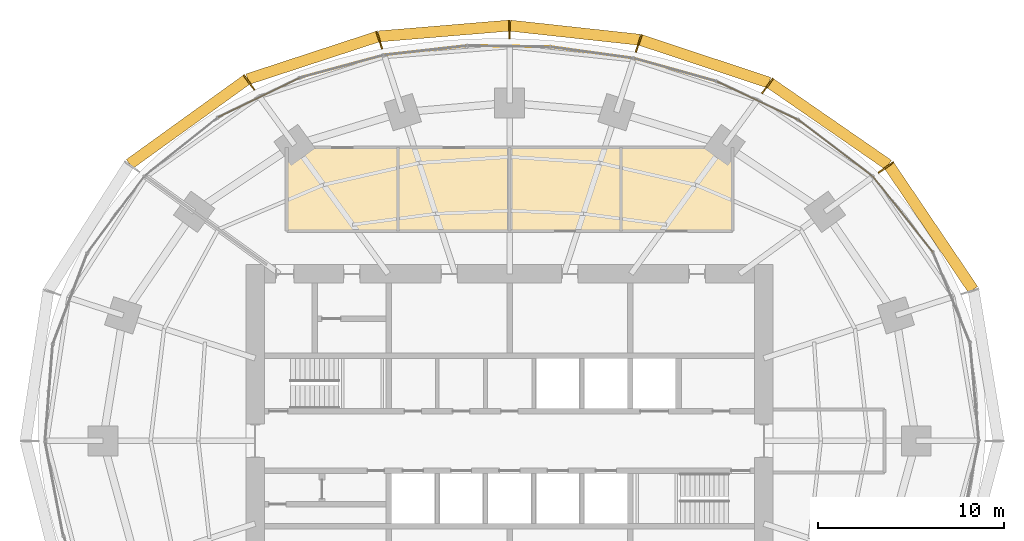
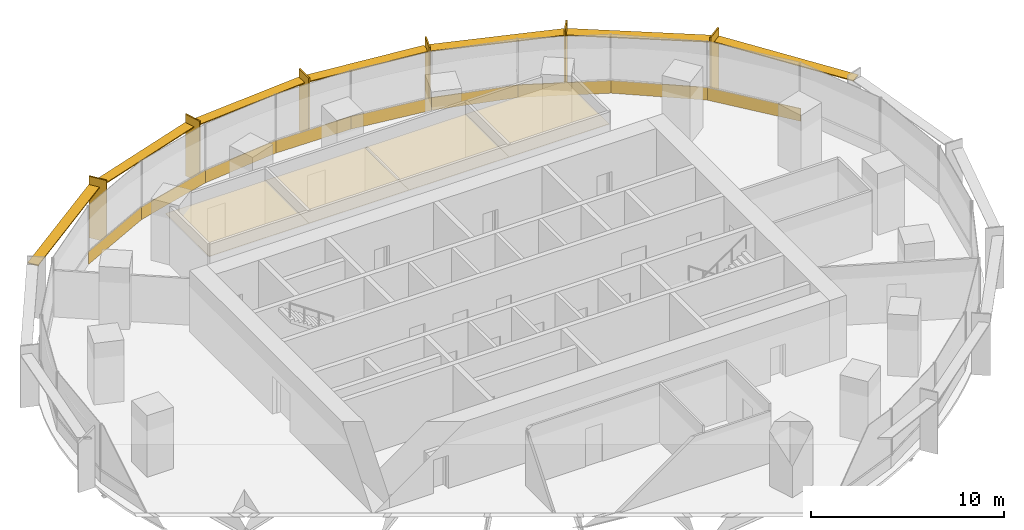
# One storey, part 14 of 14: 13 coverings, 13 shading devices.
"""IFC4 building model written with IfcOpenShell, lengths in metres."""

import ifcopenshell
import ifcopenshell.guid

model = None  # the IFC model being written
_history = None  # IfcOwnerHistory: only IFC2X3 demands one
_inside = {}  # id of a spatial element -> (the spatial element, [elements in it])
_under = {}  # id of a project, library or spatial element -> (it, [spatial elements below it])
_declared = {}  # id of a project -> (the project, [libraries it declares])
_typed = {}  # id of a type object -> (the type object, [elements of that type])
_made_of = {}  # id of a material, layer set ... -> (it, [elements and type objects made of it])


def new_model(schema):
    """Start an empty IFC model of exactly this schema.

    Asked for "IFC4X3", IfcOpenShell would pick the latest addendum, in which some entities
    have other attributes; the version numbers below select the first issue.
    IFC2X3 requires an IfcOwnerHistory on every rooted entity: one is made here for all.
    """
    global model, _history
    if schema == "IFC4X3":
        model = ifcopenshell.file(schema_version=(4, 3, 0, 0))
    else:
        model = ifcopenshell.file(schema=schema)
    _inside.clear()
    _under.clear()
    _declared.clear()
    _typed.clear()
    _made_of.clear()
    _history = None
    if model.schema == "IFC2X3":
        org = make("IfcOrganization", Name="unknown")
        user = make(
            "IfcPersonAndOrganization",
            ThePerson=make("IfcPerson", FamilyName="unknown"),
            TheOrganization=org,
        )
        app = make(
            "IfcApplication",
            ApplicationDeveloper=org,
            Version="unknown",
            ApplicationFullName="unknown",
            ApplicationIdentifier="unknown",
        )
        _history = make(
            "IfcOwnerHistory",
            OwningUser=user,
            OwningApplication=app,
            ChangeAction="ADDED",
            CreationDate=0,
        )
    return model


def make(cls, **values):
    """One entity of the class cls with the attributes given. An attribute that is None is left unset."""
    return model.create_entity(
        cls, **{name: value for name, value in values.items() if value is not None}
    )


def rooted(cls, **values):
    """An entity with a GlobalId (a new one), such as an element, a storey or a relation."""
    return make(cls, GlobalId=ifcopenshell.guid.new(), OwnerHistory=_history, **values)


def si_unit(unit_type, name, prefix=None):
    """IfcSIUnit, for example si_unit("LENGTHUNIT", "METRE", prefix="MILLI")."""
    return make("IfcSIUnit", UnitType=unit_type, Prefix=prefix, Name=name)


def assignment(units):
    """IfcUnitAssignment: the units of a project."""
    return None if units is None else make("IfcUnitAssignment", Units=units)


def point(xyz):
    """IfcCartesianPoint."""
    return None if xyz is None else make("IfcCartesianPoint", Coordinates=xyz)


def direction(xyz):
    """IfcDirection."""
    return None if xyz is None else make("IfcDirection", DirectionRatios=xyz)


def frame(location, z_axis=None, x_axis=None):
    """IfcAxis2Placement3D, a coordinate frame: its origin and axes. An axis left out is left unset."""
    return make(
        "IfcAxis2Placement3D",
        Location=point(location),
        Axis=direction(z_axis),
        RefDirection=direction(x_axis),
    )


def frame_2d(location, x_axis=None):
    """IfcAxis2Placement2D, a coordinate frame in the plane: its origin and x axis."""
    return make(
        "IfcAxis2Placement2D", Location=point(location), RefDirection=direction(x_axis)
    )


def origin():
    """The frame at (0, 0, 0) with its axes left unset."""
    return frame((0.0, 0.0, 0.0))


def origin_2d():
    """The frame at (0, 0) in the plane with its x axis left unset."""
    return frame_2d((0.0, 0.0))


def place(relative_to, where):
    """IfcLocalPlacement: puts the frame where relative to a parent placement (None: the world)."""
    return make(
        "IfcLocalPlacement", PlacementRelTo=relative_to, RelativePlacement=where
    )


def context(
    kind, dimensions, precision=None, world=None, true_north=None, identifier=None
):
    """IfcGeometricRepresentationContext, for example the 3D "Model" context."""
    return make(
        "IfcGeometricRepresentationContext",
        ContextIdentifier=identifier,
        ContextType=kind,
        CoordinateSpaceDimension=dimensions,
        Precision=precision,
        WorldCoordinateSystem=world,
        TrueNorth=true_north,
    )


def subcontext(parent, identifier, kind, view, scale=None):
    """IfcGeometricRepresentationSubContext, for example "Body" below "Model"."""
    return make(
        "IfcGeometricRepresentationSubContext",
        ContextIdentifier=identifier,
        ContextType=kind,
        ParentContext=parent,
        TargetScale=scale,
        TargetView=view,
    )


def project(units=None, contexts=None):
    """IfcProject with its units and contexts."""
    return rooted(
        "IfcProject",
        Name="project",
        RepresentationContexts=contexts,
        UnitsInContext=assignment(units),
    )


def spatial(cls, under=None, at=None, **own):
    """A site, building, storey or space (cls), placed at a placement, below another one or the project."""
    s = rooted(cls, ObjectPlacement=at, **own)
    if under is not None:
        _under.setdefault(under.id(), (under, []))[1].append(s)
    return s


def polyline(points):
    """IfcPolyline through the points."""
    return make("IfcPolyline", Points=[point(p) for p in points])


def profile(cls, at=None, kind="AREA", **sizes):
    """A parametric profile (cls). Its sizes go by their IFC names, for example OverallWidth=200.0."""
    return make(cls, ProfileType=kind, Position=at, **sizes)


def rectangle(**sizes):
    """IfcRectangleProfileDef."""
    return profile("IfcRectangleProfileDef", **sizes)


def outline(outer, holes=None, kind="AREA"):
    """IfcArbitraryClosedProfileDef: a profile drawn as a closed curve; with holes, ...WithVoids."""
    if holes is None:
        return make("IfcArbitraryClosedProfileDef", ProfileType=kind, OuterCurve=outer)
    return make(
        "IfcArbitraryProfileDefWithVoids",
        ProfileType=kind,
        OuterCurve=outer,
        InnerCurves=holes,
    )


def extrude(swept, where, along, depth):
    """IfcExtrudedAreaSolid: the profile swept, set in the frame where, extruded along a direction by depth."""
    return make(
        "IfcExtrudedAreaSolid",
        SweptArea=swept,
        Position=where,
        ExtrudedDirection=direction(along),
        Depth=depth,
    )


def shape(context_of_items, identifier, shape_type, items):
    """IfcShapeRepresentation: the items that make up one representation, for example the "Body"."""
    return make(
        "IfcShapeRepresentation",
        ContextOfItems=context_of_items,
        RepresentationIdentifier=identifier,
        RepresentationType=shape_type,
        Items=items,
    )


def material(Name=None, Category=None):
    """IfcMaterial."""
    return make("IfcMaterial", Name=Name, Category=Category)


def layer(
    of_material, thickness, ventilated=None, Name=None, Category=None, Priority=None
):
    """IfcMaterialLayer: one layer of a wall or slab, of a material (None: an air gap)."""
    return make(
        "IfcMaterialLayer",
        Material=of_material,
        LayerThickness=thickness,
        IsVentilated=ventilated,
        Name=Name,
        Category=Category,
        Priority=Priority,
    )


def layer_set(layers, Name=None):
    """IfcMaterialLayerSet."""
    return make("IfcMaterialLayerSet", MaterialLayers=layers, LayerSetName=Name)


def made_of(thing, what):
    """Note that an element or type object is made of a material, layer set ...; save() writes the relation."""
    if what is not None:
        _made_of.setdefault(what.id(), (what, []))[1].append(thing)
    return thing


def type_object(cls, material=None, **own):
    """A type object (cls), such as IfcWallType, which elements share."""
    return made_of(rooted(cls, **own), material)


def element(
    cls,
    number,
    at=None,
    inside=None,
    cuts=None,
    type_object=None,
    material=None,
    context=None,
    identifier="Body",
    shape_type=None,
    held_by="IfcProductDefinitionShape",
    body=None,
    shapes=None,
    **own,
):
    """One element of the class cls, such as IfcWall. Its Tag is "e" and its number.

    at: its placement. inside: the storey or other place that contains it. cuts: it is an
    opening in that element (IfcRelVoidsElement). A single representation is given by context,
    identifier, shape_type and body (its items); several are given by shapes. held_by: the class
    of the entity that holds the representations. save() writes the other relations.
    """
    e = rooted(cls, Tag="e%d" % number, ObjectPlacement=at, **own)
    if body is not None:
        shapes = [shape(context, identifier, shape_type, body)]
    if shapes is not None:
        e.Representation = make(held_by, Representations=shapes)
    if inside is not None:
        _inside.setdefault(inside.id(), (inside, []))[1].append(e)
    if cuts is not None:
        rooted(
            "IfcRelVoidsElement", RelatingBuildingElement=cuts, RelatedOpeningElement=e
        )
    if type_object is not None:
        _typed.setdefault(type_object.id(), (type_object, []))[1].append(e)
    return made_of(e, material)


def aggregate(whole, parts):
    """IfcRelAggregates: a whole, such as a stair, and the parts it consists of."""
    return rooted("IfcRelAggregates", RelatingObject=whole, RelatedObjects=parts)


def save(model, path):
    """Write the relations noted so far, then the file.

    IfcRelAggregates (storeys below a building ...), IfcRelContainedInSpatialStructure (elements
    in a storey), IfcRelDefinesByType, IfcRelAssociatesMaterial and IfcRelDeclares: one each for
    every whole, place, type object, material and project.
    """
    for whole, parts in _under.values():
        aggregate(whole, parts)
    for where, things in _inside.values():
        rooted(
            "IfcRelContainedInSpatialStructure",
            RelatedElements=things,
            RelatingStructure=where,
        )
    for kind, things in _typed.values():
        rooted("IfcRelDefinesByType", RelatedObjects=things, RelatingType=kind)
    for what, things in _made_of.values():
        rooted("IfcRelAssociatesMaterial", RelatedObjects=things, RelatingMaterial=what)
    for by, libraries in _declared.values():
        rooted("IfcRelDeclares", RelatingContext=by, RelatedDefinitions=libraries)
    model.write(path)


model = new_model("IFC4")

# Units and contexts
model_context = context("Model", 3, precision=1e-05, world=origin(), true_north=direction((0.0, 1.0)))
body_context = subcontext(model_context, "Body", "Model", "MODEL_VIEW")
ifc_project = project(units=[si_unit("LENGTHUNIT", "METRE"), si_unit("AREAUNIT", "SQUARE_METRE"), si_unit("VOLUMEUNIT", "CUBIC_METRE"), si_unit("PLANEANGLEUNIT", "RADIAN"), si_unit("MASSUNIT", "GRAM", prefix="KILO")], contexts=[model_context])

# Site, building, storey
site_placement = place(None, origin())
site = spatial("IfcSite", under=ifc_project, at=site_placement, CompositionType="ELEMENT")
building_placement = place(site_placement, origin())
building = spatial("IfcBuilding", under=site, at=building_placement, Name="Marramba Exchange Tower", CompositionType="ELEMENT")
storey_placement = place(building_placement, frame((0.0, 0.0, 158.699951171875)))
storey = spatial("IfcBuildingStorey", under=building, at=storey_placement, Name="L38", CompositionType="ELEMENT", Elevation=158.699951171875)

# Shading devices
ifc_material_1 = material(Name="Aluminium blade, timber-look bronze finish", Category="wood")
ifc_layer_1 = layer(ifc_material_1, 0.080078125)
ifc_layer_set_1 = layer_set([ifc_layer_1], Name="Floor-edge blade 1000x80")
shading_device_type_1 = type_object("IfcShadingDeviceType", Name="Floor-edge blade 1000x80", PredefinedType="USERDEFINED", material=ifc_layer_set_1)
for number, where, z_axis, x_axis, name in (
    (1, (20.27392578125, 14.72998046875, -0.159912109375), (0.0, 0.0, 1.0), (0.809016994375, 0.587785252292, 0.0), "Floor-edge blade FB1 L38 TC03"),
    (2, (13.8955078125, 19.12548828125, -0.159912109375), (0.0, 0.0, 1.0), (0.587785252292, 0.809016994375, 0.0), "Floor-edge blade FB1 L38 TC04"),
    (3, (6.958984375, 21.41748046875, -0.159912109375), (0.0, 0.0, 1.0), (0.309016994375, 0.951056516295, 0.0), "Floor-edge blade FB1 L38 TC05"),
    (4, (0.0, 22.173095703125, -0.159912109375), (0.0, 0.0, 1.0), (0.0, 1.0, 0.0), "Floor-edge blade FB1 L38 TC06"),
    (5, (-7.016845703125, 21.595703125, -0.159912109375), (0.0, 0.0, 1.0), (-0.309016994375, 0.951056516295, 0.0), "Floor-edge blade FB1 L38 TC07"),
    (6, (-14.029296875, 19.3095703125, -0.159912109375), (0.0, 0.0, 1.0), (-0.587785252292, 0.809016994375, 0.0), "Floor-edge blade FB1 L38 TC08"),
):
    element("IfcShadingDevice", number, at=place(storey_placement, frame(where, z_axis=z_axis, x_axis=x_axis)), inside=storey, type_object=shading_device_type_1, Name=name, ObjectType="FIN", PredefinedType="USERDEFINED", context=body_context, shape_type="SweptSolid", body=[
        extrude(rectangle(XDim=1.0, YDim=0.080078125, at=origin_2d()), origin(), (0.0, 0.0, 1.0), 3.89990234375),
    ])
ifc_material_2 = material(Name="Aluminium sunshade, bronze anodised", Category="aluminium")
ifc_layer_2 = layer(ifc_material_2, 0.06005859375)
ifc_layer_set_2 = layer_set([ifc_layer_2], Name="SUNSHADE blade 600x60")
shading_device_type_2 = type_object("IfcShadingDeviceType", Name="SUNSHADE blade 600x60", PredefinedType="USERDEFINED", material=ifc_layer_set_2)
shading_device_1_placement = place(storey_placement, frame((22.712158203125, 11.4833984375, 3.159912109375), z_axis=(0.0, 0.0, 1.0), x_axis=(-0.560441804861, 0.828193807852, 0.0)))
element("IfcShadingDevice", 7, at=shading_device_1_placement, inside=storey, type_object=shading_device_type_2, Name="Sunshade SS1 L38 bay 02", ObjectType="SUNSHADE", PredefinedType="USERDEFINED", context=body_context, shape_type="SweptSolid", body=[
    extrude(rectangle(XDim=8.0439453125, YDim=0.60009765625, at=origin_2d()), origin(), (0.0, 0.0, 1.0), 0.06005859375),
])
shading_device_2_placement = place(storey_placement, frame((17.224365234375, 17.0673828125, 3.159912109375), z_axis=(0.0, 0.0, 1.0), x_axis=(-0.822589509071, 0.568635647464, 0.0)))
element("IfcShadingDevice", 8, at=shading_device_2_placement, inside=storey, type_object=shading_device_type_2, Name="Sunshade SS1 L38 bay 03", ObjectType="SUNSHADE", PredefinedType="USERDEFINED", context=body_context, shape_type="SweptSolid", body=[
    extrude(rectangle(XDim=7.72802734375, YDim=0.60009765625, at=origin_2d()), origin(), (0.0, 0.0, 1.0), 0.06005859375),
])
shading_device_3_placement = place(storey_placement, frame((10.516845703125, 20.447509765625, 3.159912109375), z_axis=(0.0, 0.0, 1.0), x_axis=(-0.949101076178, 0.314971660944, 0.0)))
element("IfcShadingDevice", 9, at=shading_device_3_placement, inside=storey, type_object=shading_device_type_2, Name="Sunshade SS1 L38 bay 04", ObjectType="SUNSHADE", PredefinedType="USERDEFINED", context=body_context, shape_type="SweptSolid", body=[
    extrude(rectangle(XDim=7.287353515625, YDim=0.60009765625, at=origin_2d()), origin(), (0.0, 0.0, 1.0), 0.06005859375),
])
shading_device_4_placement = place(storey_placement, frame((3.510498046875, 21.990478515625, 3.159912109375), z_axis=(0.0, 0.0, 1.0), x_axis=(-0.994111392801, 0.108362995081, 0.0)))
element("IfcShadingDevice", 10, at=shading_device_4_placement, inside=storey, type_object=shading_device_type_2, Name="Sunshade SS1 L38 bay 05", ObjectType="SUNSHADE", PredefinedType="USERDEFINED", context=body_context, shape_type="SweptSolid", body=[
    extrude(rectangle(XDim=6.982421875, YDim=0.60009765625, at=origin_2d()), origin(), (0.0, 0.0, 1.0), 0.06005859375),
])
shading_device_5_placement = place(storey_placement, frame((-3.539306640625, 22.07958984375, 3.159912109375), z_axis=(0.0, 0.0, 1.0), x_axis=(-0.996577838412, -0.08265961521, 0.0)))
element("IfcShadingDevice", 11, at=shading_device_5_placement, inside=storey, type_object=shading_device_type_2, Name="Sunshade SS1 L38 bay 06", ObjectType="SUNSHADE", PredefinedType="USERDEFINED", context=body_context, shape_type="SweptSolid", body=[
    extrude(rectangle(XDim=7.02294921875, YDim=0.60009765625, at=origin_2d()), origin(), (0.0, 0.0, 1.0), 0.06005859375),
])
shading_device_6_placement = place(storey_placement, frame((-10.61279296875, 20.628662109375, 3.159912109375), z_axis=(0.0, 0.0, 1.0), x_axis=(-0.950345637432, -0.311196351865, 0.0)))
element("IfcShadingDevice", 12, at=shading_device_6_placement, inside=storey, type_object=shading_device_type_2, Name="Sunshade SS1 L38 bay 07", ObjectType="SUNSHADE", PredefinedType="USERDEFINED", context=body_context, shape_type="SweptSolid", body=[
    extrude(rectangle(XDim=7.357421875, YDim=0.60009765625, at=origin_2d()), origin(), (0.0, 0.0, 1.0), 0.06005859375),
])
shading_device_7_placement = place(storey_placement, frame((-17.322509765625, 17.18212890625, 3.159912109375), z_axis=(0.0, 0.0, 1.0), x_axis=(-0.811199164202, -0.584769968448, 0.0)))
element("IfcShadingDevice", 13, at=shading_device_7_placement, inside=storey, type_object=shading_device_type_2, Name="Sunshade SS1 L38 bay 08", ObjectType="SUNSHADE", PredefinedType="USERDEFINED", context=body_context, shape_type="SweptSolid", body=[
    extrude(rectangle(XDim=7.749755859375, YDim=0.60009765625, at=origin_2d()), origin(), (0.0, 0.0, 1.0), 0.06005859375),
])

# Coverings
ifc_material_3 = material(Name="Aluminium spandrel panel, bronze anodised, insulated", Category="aluminium")
ifc_layer_3 = layer(ifc_material_3, 0.050048828125)
ifc_layer_set_3 = layer_set([ifc_layer_3], Name="Spandrel panel 800")
covering_type_1 = type_object("IfcCoveringType", Name="Spandrel panel 800", PredefinedType="CLADDING", material=ifc_layer_set_3)
covering_1_placement = place(storey_placement, frame((21.20068359375, 12.194091796875, 0.0), z_axis=(0.0, 0.0, 1.0), x_axis=(-0.621311998758, 0.783563271344, 0.0)))
element("IfcCovering", 14, at=covering_1_placement, inside=storey, type_object=covering_type_1, Name="Spandrel panel SP1 L38 F03", PredefinedType="CLADDING", context=body_context, shape_type="SweptSolid", body=[
    extrude(rectangle(XDim=5.197021484375, YDim=0.050048828125, at=origin_2d()), origin(), (0.0, 0.0, 1.0), 0.800048828125),
])
covering_2_placement = place(storey_placement, frame((17.576171875, 15.759033203125, 0.0), z_axis=(0.0, 0.0, 1.0), x_axis=(-0.795971745176, 0.605333776426, 0.0)))
element("IfcCovering", 15, at=covering_2_placement, inside=storey, type_object=covering_type_1, Name="Spandrel panel SP1 L38 F04", PredefinedType="CLADDING", context=body_context, shape_type="SweptSolid", body=[
    extrude(rectangle(XDim=5.05078125, YDim=0.050048828125, at=origin_2d()), origin(), (0.0, 0.0, 1.0), 0.800048828125),
])
covering_3_placement = place(storey_placement, frame((13.371337890625, 18.322998046875, 0.0), z_axis=(0.0, 0.0, 1.0), x_axis=(-0.904403135206, 0.426678999987, 0.0)))
element("IfcCovering", 16, at=covering_3_placement, inside=storey, type_object=covering_type_1, Name="Spandrel panel SP1 L38 F05", PredefinedType="CLADDING", context=body_context, shape_type="SweptSolid", body=[
    extrude(rectangle(XDim=4.853271484375, YDim=0.050048828125, at=origin_2d()), origin(), (0.0, 0.0, 1.0), 0.800048828125),
])
covering_4_placement = place(storey_placement, frame((8.9365234375, 19.98388671875, 0.0), z_axis=(0.0, 0.0, 1.0), x_axis=(-0.963177847397, 0.268865085655, 0.0)))
element("IfcCovering", 17, at=covering_4_placement, inside=storey, type_object=covering_type_1, Name="Spandrel panel SP1 L38 F06", PredefinedType="CLADDING", context=body_context, shape_type="SweptSolid", body=[
    extrude(rectangle(XDim=4.651611328125, YDim=0.050048828125, at=origin_2d()), origin(), (0.0, 0.0, 1.0), 0.800048828125),
])
covering_5_placement = place(storey_placement, frame((4.46337890625, 20.915283203125, 0.0), z_axis=(0.0, 0.0, 1.0), x_axis=(-0.990738214019, 0.135785828725, 0.0)))
element("IfcCovering", 18, at=covering_5_placement, inside=storey, type_object=covering_type_1, Name="Spandrel panel SP1 L38 F07", PredefinedType="CLADDING", context=body_context, shape_type="SweptSolid", body=[
    extrude(rectangle(XDim=4.507568359375, YDim=0.050048828125, at=origin_2d()), origin(), (0.0, 0.0, 1.0), 0.800048828125),
])
covering_6_placement = place(storey_placement, frame((-0.003662109375, 21.25634765625, 0.0), z_axis=(0.0, 0.0, 1.0), x_axis=(-0.999875870008, 0.015755779107, 0.0)))
element("IfcCovering", 19, at=covering_6_placement, inside=storey, type_object=covering_type_1, Name="Spandrel panel SP1 L38 F08", PredefinedType="CLADDING", context=body_context, shape_type="SweptSolid", body=[
    extrude(rectangle(XDim=4.46875, YDim=0.050048828125, at=origin_2d()), origin(), (0.0, 0.0, 1.0), 0.800048828125),
])
covering_7_placement = place(storey_placement, frame((-4.49609375, 21.03955078125, 0.0), z_axis=(0.0, 0.0, 1.0), x_axis=(-0.993823395975, -0.110973229261, 0.0)))
element("IfcCovering", 20, at=covering_7_placement, inside=storey, type_object=covering_type_1, Name="Spandrel panel SP1 L38 F09", PredefinedType="CLADDING", context=body_context, shape_type="SweptSolid", body=[
    extrude(rectangle(XDim=4.54443359375, YDim=0.050048828125, at=origin_2d()), origin(), (0.0, 0.0, 1.0), 0.800048828125),
])
covering_8_placement = place(storey_placement, frame((-9.0244140625, 20.17529296875, 0.0), z_axis=(0.0, 0.0, 1.0), x_axis=(-0.965522049344, -0.26032128655, 0.0)))
element("IfcCovering", 21, at=covering_8_placement, inside=storey, type_object=covering_type_1, Name="Spandrel panel SP1 L38 F10", PredefinedType="CLADDING", context=body_context, shape_type="SweptSolid", body=[
    extrude(rectangle(XDim=4.70263671875, YDim=0.050048828125, at=origin_2d()), origin(), (0.0, 0.0, 1.0), 0.800048828125),
])
covering_9_placement = place(storey_placement, frame((-13.49609375, 18.498291015625, 0.0), z_axis=(0.0, 0.0, 1.0), x_axis=(-0.900223736484, -0.435427633794, 0.0)))
element("IfcCovering", 22, at=covering_9_placement, inside=storey, type_object=covering_type_1, Name="Spandrel panel SP1 L38 F11", PredefinedType="CLADDING", context=body_context, shape_type="SweptSolid", body=[
    extrude(rectangle(XDim=4.890625, YDim=0.050048828125, at=origin_2d()), origin(), (0.0, 0.0, 1.0), 0.800048828125),
])
ifc_material_4 = material(Name="Mineral fibre ceiling tiles", Category="gypsum")
ifc_layer_4 = layer(ifc_material_4, 0.02001953125)
ifc_layer_set_4 = layer_set([ifc_layer_4], Name="Suspended ceiling 20")
covering_type_2 = type_object("IfcCoveringType", Name="Suspended ceiling 20", PredefinedType="CEILING", material=ifc_layer_set_4)
covering_10_placement = place(storey_placement, frame((0.0, 0.0, 2.900146484375)))
element("IfcCovering", 23, at=covering_10_placement, inside=storey, type_object=covering_type_2, Name="Ceiling CL1 L38 Meeting Room 1", PredefinedType="CEILING", context=body_context, shape_type="SweptSolid", body=[
    extrude(outline(polyline([(-6.0, 11.300048828125), (-12.0, 11.300048828125), (-12.0, 15.800048828125), (-6.0, 15.800048828125), (-6.0, 11.300048828125)])), origin(), (0.0, 0.0, 1.0), 0.02001953125),
])
covering_11_placement = place(storey_placement, frame((0.0, 0.0, 2.900146484375)))
element("IfcCovering", 24, at=covering_11_placement, inside=storey, type_object=covering_type_2, Name="Ceiling CL1 L38 Meeting Room 2", PredefinedType="CEILING", context=body_context, shape_type="SweptSolid", body=[
    extrude(outline(polyline([(0.0, 11.300048828125), (-6.0, 11.300048828125), (-6.0, 15.800048828125), (0.0, 15.800048828125), (0.0, 11.300048828125)])), origin(), (0.0, 0.0, 1.0), 0.02001953125),
])
covering_12_placement = place(storey_placement, frame((0.0, 0.0, 2.900146484375)))
element("IfcCovering", 25, at=covering_12_placement, inside=storey, type_object=covering_type_2, Name="Ceiling CL1 L38 Meeting Room 3", PredefinedType="CEILING", context=body_context, shape_type="SweptSolid", body=[
    extrude(outline(polyline([(6.0, 11.300048828125), (0.0, 11.300048828125), (0.0, 15.800048828125), (6.0, 15.800048828125), (6.0, 11.300048828125)])), origin(), (0.0, 0.0, 1.0), 0.02001953125),
])
covering_13_placement = place(storey_placement, frame((0.0, 0.0, 2.900146484375)))
element("IfcCovering", 26, at=covering_13_placement, inside=storey, type_object=covering_type_2, Name="Ceiling CL1 L38 Meeting Room 4", PredefinedType="CEILING", context=body_context, shape_type="SweptSolid", body=[
    extrude(outline(polyline([(12.0, 11.300048828125), (6.0, 11.300048828125), (6.0, 15.800048828125), (12.0, 15.800048828125), (12.0, 11.300048828125)])), origin(), (0.0, 0.0, 1.0), 0.02001953125),
])

save(model, "model.ifc")
